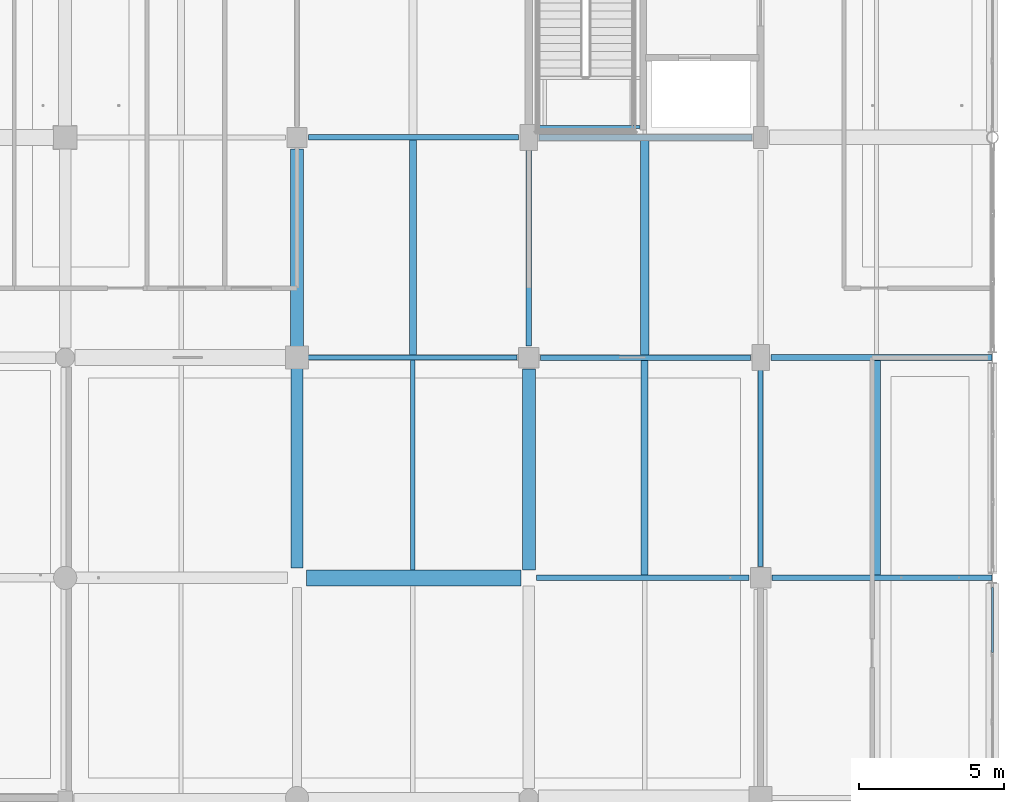
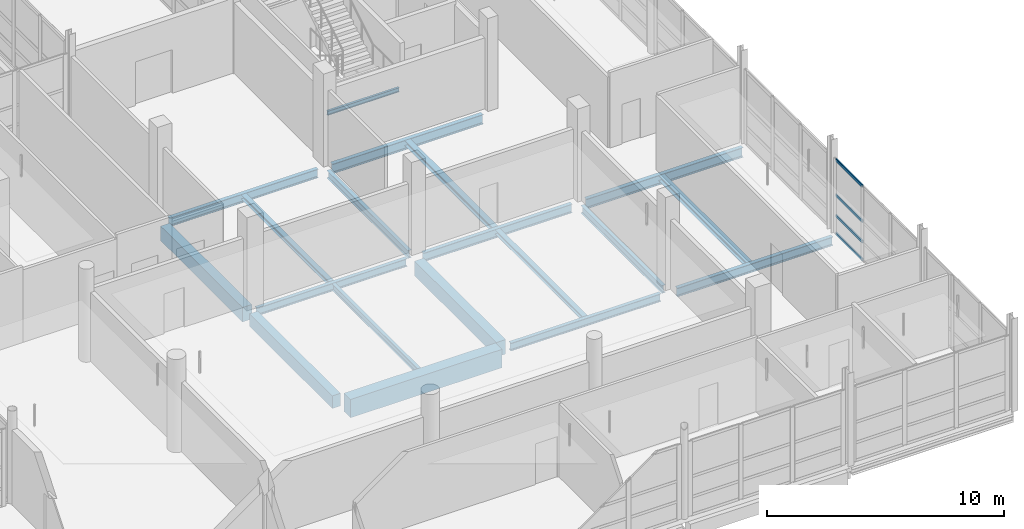
# One storey, part 53 of 141: 19 beams, 4 members, 1 element without a shape of its own.
"""IFC4 building model written with IfcOpenShell, lengths in metres."""

from ifc_helpers import new_model, si_unit, direction, frame, origin, origin_2d, place, context, subcontext, project, spatial, rectangle, hollow_rectangle, i_section, extrude, material, material_profile, profile_set, type_object, element, aggregate, save


model = new_model("IFC4")

# Units and contexts
model_context = context("Model", 3, precision=1e-05, world=origin(), true_north=direction((0.0, 1.0)))
body_context = subcontext(model_context, "Body", "Model", "MODEL_VIEW")
ifc_project = project(units=[si_unit("LENGTHUNIT", "METRE"), si_unit("AREAUNIT", "SQUARE_METRE"), si_unit("VOLUMEUNIT", "CUBIC_METRE"), si_unit("PLANEANGLEUNIT", "RADIAN"), si_unit("MASSUNIT", "GRAM", prefix="KILO")], contexts=[model_context])

# Site, building, storey
site_placement = place(None, origin())
site = spatial("IfcSite", under=ifc_project, at=site_placement, CompositionType="ELEMENT")
building_placement = place(site_placement, origin())
building = spatial("IfcBuilding", under=site, at=building_placement, Name="Khelvaren Railside Concert Hall", CompositionType="ELEMENT")
storey_placement = place(building_placement, frame((0.0, 0.0, 10.199951171875)))
storey = spatial("IfcBuildingStorey", under=building, at=storey_placement, Name="L02", CompositionType="ELEMENT", Elevation=10.199951171875)

# Beams
ifc_material_1 = material(Name="Steel S355", Category="steel")
ifc_material_profile_1 = material_profile(ifc_material_1, i_section(OverallWidth=0.179931640625, OverallDepth=0.39990234375, WebThickness=0.008544921875, FlangeThickness=0.013427734375, FilletRadius=0.02099609375, at=origin_2d()), Name="IPE 400")
ifc_profile_set_1 = profile_set([ifc_material_profile_1], Name="Steel S355")
beam_type_1 = type_object("IfcBeamType", Name="BM29", PredefinedType="BEAM", material=ifc_profile_set_1)
for number, where, z_axis, x_axis, name in (
    (1, (168.27294921875, 15.199951171875, -0.489990234375), (1.0, 0.0, 0.0), (0.0, 1.0, 0.0), "V2 L02 Beam X3.4"),
    (2, (160.27294921875, 22.800048828125, -0.489990234375), (1.0, 0.0, 0.0), (0.0, 1.0, 0.0), "V2 L02 Beam X4.3"),
):
    element("IfcBeam", number, at=place(storey_placement, frame(where, z_axis=z_axis, x_axis=x_axis)), inside=storey, type_object=beam_type_1, Name=name, PredefinedType="BEAM", context=body_context, shape_type="SweptSolid", body=[
        extrude(i_section(OverallWidth=0.179931640625, OverallDepth=0.39990234375, WebThickness=0.008544921875, FlangeThickness=0.013427734375, FilletRadius=0.02099609375, at=origin_2d()), origin(), (0.0, 0.0, 1.0), 7.3271484375),
    ])
beam_1_placement = place(storey_placement, frame((168.0, 23.199951171875, -0.489990234375), z_axis=(0.0, 1.0, 0.0), x_axis=(-1.0, 0.0, 0.0)))
element("IfcBeam", 3, at=beam_1_placement, inside=storey, type_object=beam_type_1, Name="V2 L02 Beam Y4.4", PredefinedType="BEAM", context=body_context, shape_type="SweptSolid", body=[
    extrude(i_section(OverallWidth=0.179931640625, OverallDepth=0.39990234375, WebThickness=0.008544921875, FlangeThickness=0.013427734375, FilletRadius=0.02099609375, at=origin_2d()), origin(), (0.0, 0.0, 1.0), 6.85009765625),
])
beam_2_placement = place(storey_placement, frame((176.0, 15.60009765625, -0.489990234375), z_axis=(0.0, 1.0, 0.0), x_axis=(-1.0, 0.0, 0.0)))
element("IfcBeam", 4, at=beam_2_placement, inside=storey, type_object=beam_type_1, Name="V2 L02 Beam Y5.3", PredefinedType="BEAM", context=body_context, shape_type="SweptSolid", body=[
    extrude(i_section(OverallWidth=0.179931640625, OverallDepth=0.39990234375, WebThickness=0.008544921875, FlangeThickness=0.013427734375, FilletRadius=0.02099609375, at=origin_2d()), origin(), (0.0, 0.0, 1.0), 6.849853515625),
])
ifc_material_2 = material(Name="Concrete C40/50", Category="concrete")
ifc_material_profile_2 = material_profile(ifc_material_2, rectangle(XDim=0.39990234375, YDim=0.64990234375, at=origin_2d()), Name="RCB 400x650")
ifc_profile_set_2 = profile_set([ifc_material_profile_2], Name="Concrete C40/50")
beam_type_2 = type_object("IfcBeamType", Name="BM33", PredefinedType="BEAM", material=ifc_profile_set_2)
beam_3_placement = place(storey_placement, frame((160.0, 15.535888671875, -0.614990234375), z_axis=(0.0, 1.0, 0.0), x_axis=(-1.0, 0.0, 0.0)))
element("IfcBeam", 5, at=beam_3_placement, inside=storey, type_object=beam_type_2, Name="V2 L02 Beam Y3.3", PredefinedType="BEAM", context=body_context, shape_type="SweptSolid", body=[
    extrude(rectangle(XDim=0.39990234375, YDim=0.64990234375, at=origin_2d()), origin(), (0.0, 0.0, 1.0), 6.9912109375),
])
ifc_material_profile_3 = material_profile(ifc_material_1, i_section(OverallWidth=0.199951171875, OverallDepth=0.5, WebThickness=0.01025390625, FlangeThickness=0.01611328125, FilletRadius=0.02099609375, at=origin_2d()), Name="IPE 500")
ifc_profile_set_3 = profile_set([ifc_material_profile_3], Name="Steel S355")
beam_type_3 = type_object("IfcBeamType", Name="BM62", PredefinedType="BEAM", material=ifc_profile_set_3)
beam_4_placement = place(storey_placement, frame((176.35009765625, 22.800048828125, -0.5400390625), z_axis=(1.0, 0.0, 0.0), x_axis=(0.0, 1.0, 0.0)))
element("IfcBeam", 6, at=beam_4_placement, inside=storey, type_object=beam_type_3, Name="V2 L02 Beam X4.5", PredefinedType="BEAM", context=body_context, shape_type="SweptSolid", body=[
    extrude(i_section(OverallWidth=0.199951171875, OverallDepth=0.5, WebThickness=0.01025390625, FlangeThickness=0.01611328125, FilletRadius=0.02099609375, at=origin_2d()), origin(), (0.0, 0.0, 1.0), 7.639892578125),
])
beam_5_placement = place(storey_placement, frame((168.35009765625, 30.39990234375, -0.5400390625), z_axis=(1.0, 0.0, 0.0), x_axis=(0.0, 1.0, 0.0)))
element("IfcBeam", 7, at=beam_5_placement, inside=storey, type_object=beam_type_3, Name="V2 L02 Beam X5.4", PredefinedType="BEAM", context=body_context, shape_type="SweptSolid", body=[
    extrude(i_section(OverallWidth=0.199951171875, OverallDepth=0.5, WebThickness=0.01025390625, FlangeThickness=0.01611328125, FilletRadius=0.02099609375, at=origin_2d()), origin(), (0.0, 0.0, 1.0), 7.349853515625),
])
ifc_material_profile_4 = material_profile(ifc_material_2, rectangle(XDim=0.449951171875, YDim=0.75, at=origin_2d()), Name="RCB 450x750")
ifc_profile_set_4 = profile_set([ifc_material_profile_4], Name="Concrete C40/50")
beam_type_4 = type_object("IfcBeamType", Name="BM83", PredefinedType="BEAM", material=ifc_profile_set_4)
for number, where, z_axis, x_axis, name in (
    (8, (160.0, 23.072998046875, -0.6650390625), (0.0, 1.0, 0.0), (-1.0, 0.0, 0.0), "V2 L02 Beam Y3.4"),
    (9, (168.0, 15.472900390625, -0.6650390625), (0.0, 1.0, 0.0), (-1.0, 0.0, 0.0), "V2 L02 Beam Y4.3"),
):
    element("IfcBeam", number, at=place(storey_placement, frame(where, z_axis=z_axis, x_axis=x_axis)), inside=storey, type_object=beam_type_4, Name=name, PredefinedType="BEAM", context=body_context, shape_type="SweptSolid", body=[
        extrude(rectangle(XDim=0.449951171875, YDim=0.75, at=origin_2d()), origin(), (0.0, 0.0, 1.0), 6.927001953125),
    ])
ifc_material_profile_5 = material_profile(ifc_material_1, i_section(OverallWidth=0.110107421875, OverallDepth=0.219970703125, WebThickness=0.005859375, FlangeThickness=0.00927734375, FilletRadius=0.011962890625, at=origin_2d()), Name="IPE 220")
ifc_profile_set_5 = profile_set([ifc_material_profile_5], Name="Steel S355")
beam_type_5 = type_object("IfcBeamType", Name="BM87", PredefinedType="BEAM", material=ifc_profile_set_5)
beam_6_placement = place(storey_placement, frame((168.344970703125, 30.760009765625, 2.090087890625), z_axis=(1.0, 0.0, 0.0), x_axis=(0.0, 1.0, 0.0)))
element("IfcBeam", 10, at=beam_6_placement, inside=storey, type_object=beam_type_5, Name="ST-04 L02 Half-Landing Rear Beam", PredefinedType="BEAM", context=body_context, shape_type="SweptSolid", body=[
    extrude(i_section(OverallWidth=0.110107421875, OverallDepth=0.219970703125, WebThickness=0.005859375, FlangeThickness=0.00927734375, FilletRadius=0.011962890625, at=origin_2d()), origin(), (0.0, 0.0, 1.0), 3.4951171875),
])
ifc_material_profile_6 = material_profile(ifc_material_1, i_section(OverallWidth=0.18994140625, OverallDepth=0.449951171875, WebThickness=0.009521484375, FlangeThickness=0.0146484375, FilletRadius=0.02099609375, at=origin_2d()), Name="IPE 450")
ifc_profile_set_6 = profile_set([ifc_material_profile_6], Name="Steel S355")
beam_type_6 = type_object("IfcBeamType", Name="BM95", PredefinedType="BEAM", material=ifc_profile_set_6)
beam_7_placement = place(storey_placement, frame((176.39990234375, 15.199951171875, -0.514892578125), z_axis=(1.0, 0.0, 0.0), x_axis=(0.0, 1.0, 0.0)))
element("IfcBeam", 11, at=beam_7_placement, inside=storey, type_object=beam_type_6, Name="V2 L02 Beam X3.5", PredefinedType="BEAM", context=body_context, shape_type="SweptSolid", body=[
    extrude(i_section(OverallWidth=0.18994140625, OverallDepth=0.449951171875, WebThickness=0.009521484375, FlangeThickness=0.0146484375, FilletRadius=0.02099609375, at=origin_2d()), origin(), (0.0, 0.0, 1.0), 7.590087890625),
])
for number, where, z_axis, x_axis, name in (
    (12, (168.39990234375, 22.800048828125, -0.514892578125), (1.0, 0.0, 0.0), (0.0, 1.0, 0.0), "V2 L02 Beam X4.4"),
    (13, (160.39990234375, 30.39990234375, -0.514892578125), (1.0, 0.0, 0.0), (0.0, 1.0, 0.0), "V2 L02 Beam X5.3"),
):
    element("IfcBeam", number, at=place(storey_placement, frame(where, z_axis=z_axis, x_axis=x_axis)), inside=storey, type_object=beam_type_6, Name=name, PredefinedType="BEAM", context=body_context, shape_type="SweptSolid", body=[
        extrude(i_section(OverallWidth=0.18994140625, OverallDepth=0.449951171875, WebThickness=0.009521484375, FlangeThickness=0.0146484375, FilletRadius=0.02099609375, at=origin_2d()), origin(), (0.0, 0.0, 1.0), 7.25),
    ])

# Curtain wall, members
ifc_material_3 = material(Name="Double-glazed clear foyer glass", Category="glass")
curtain_wall_type = type_object("IfcCurtainWallType", Name="CW64", PredefinedType="USERDEFINED", material=ifc_material_3)
curtain_wall_placement = place(storey_placement, origin())
curtain_wall = element("IfcCurtainWall", 14, at=curtain_wall_placement, inside=storey, type_object=curtain_wall_type, Name="Unitised Curtain Wall CW-V2-L02-E-8", ObjectType="UNITISED CURTAIN WALL", PredefinedType="USERDEFINED")
ifc_material_4 = material(Name="Anodised architectural aluminium 6063-T6", Category="aluminium")
ifc_material_profile_7 = material_profile(ifc_material_4, hollow_rectangle(XDim=0.06494140625, YDim=0.139892578125, WallThickness=0.00390625, InnerFilletRadius=0.001953125, OuterFilletRadius=0.00390625, at=origin_2d()), Name="CWT 65x140x4")
ifc_profile_set_7 = profile_set([ifc_material_profile_7], Name="Anodised architectural aluminium 6063-T6")
member_type = type_object("IfcMemberType", Name="CWT72", PredefinedType="USERDEFINED", material=ifc_profile_set_7)
member_1_placement = place(storey_placement, frame((184.0, 14.87255859375, 0.032470703125), z_axis=(0.0, -1.0, 0.0), x_axis=(1.0, 0.0, 0.0)))
member_1 = element("IfcMember", 15, at=member_1_placement, type_object=member_type, Name="CW64 transom 1.1", ObjectType="TRANSOM", PredefinedType="USERDEFINED", context=body_context, shape_type="SweptSolid", body=[
    extrude(hollow_rectangle(XDim=0.06494140625, YDim=0.139892578125, WallThickness=0.00390625, InnerFilletRadius=0.001953125, OuterFilletRadius=0.00390625, at=origin_2d()), origin(), (0.0, 0.0, 1.0), 2.245849609375),
])
member_2_placement = place(storey_placement, frame((184.0, 14.87255859375, 0.949951171875), z_axis=(0.0, -1.0, 0.0), x_axis=(1.0, 0.0, 0.0)))
member_2 = element("IfcMember", 16, at=member_2_placement, type_object=member_type, Name="CW64 transom 1.2", ObjectType="TRANSOM", PredefinedType="USERDEFINED", context=body_context, shape_type="SweptSolid", body=[
    extrude(hollow_rectangle(XDim=0.06494140625, YDim=0.139892578125, WallThickness=0.00390625, InnerFilletRadius=0.001953125, OuterFilletRadius=0.00390625, at=origin_2d()), origin(), (0.0, 0.0, 1.0), 2.245849609375),
])
member_3_placement = place(storey_placement, frame((184.0, 14.87255859375, 2.00732421875), z_axis=(0.0, -1.0, 0.0), x_axis=(1.0, 0.0, 0.0)))
member_3 = element("IfcMember", 17, at=member_3_placement, type_object=member_type, Name="CW64 transom 1.3", ObjectType="TRANSOM", PredefinedType="USERDEFINED", context=body_context, shape_type="SweptSolid", body=[
    extrude(hollow_rectangle(XDim=0.06494140625, YDim=0.139892578125, WallThickness=0.00390625, InnerFilletRadius=0.001953125, OuterFilletRadius=0.00390625, at=origin_2d()), origin(), (0.0, 0.0, 1.0), 2.245849609375),
])
member_4_placement = place(storey_placement, frame((184.0, 14.87255859375, 3.82763671875), z_axis=(0.0, -1.0, 0.0), x_axis=(1.0, 0.0, 0.0)))
member_4 = element("IfcMember", 18, at=member_4_placement, type_object=member_type, Name="CW64 transom 1.4", ObjectType="TRANSOM", PredefinedType="USERDEFINED", context=body_context, shape_type="SweptSolid", body=[
    extrude(hollow_rectangle(XDim=0.06494140625, YDim=0.139892578125, WallThickness=0.00390625, InnerFilletRadius=0.001953125, OuterFilletRadius=0.00390625, at=origin_2d()), origin(), (0.0, 0.0, 1.0), 2.245849609375),
])
aggregate(curtain_wall, [member_1, member_2, member_3, member_4])

# Beams
ifc_material_profile_8 = material_profile(ifc_material_2, rectangle(XDim=0.550048828125, YDim=0.949951171875, at=origin_2d()), Name="RCB 550x950")
ifc_profile_set_8 = profile_set([ifc_material_profile_8], Name="Concrete C40/50")
beam_type_7 = type_object("IfcBeamType", Name="GR57", PredefinedType="T_BEAM", material=ifc_profile_set_8)
beam_8_placement = place(storey_placement, frame((160.3359375, 15.199951171875, -0.764892578125), z_axis=(1.0, 0.0, 0.0), x_axis=(0.0, 1.0, 0.0)))
element("IfcBeam", 19, at=beam_8_placement, inside=storey, type_object=beam_type_7, Name="V2 L02 T_Beam X3.3", PredefinedType="T_BEAM", context=body_context, shape_type="SweptSolid", body=[
    extrude(rectangle(XDim=0.550048828125, YDim=0.949951171875, at=origin_2d()), origin(), (0.0, 0.0, 1.0), 7.39111328125),
])
ifc_material_profile_9 = material_profile(ifc_material_1, i_section(OverallWidth=0.280029296875, OverallDepth=0.27001953125, WebThickness=0.008056640625, FlangeThickness=0.012939453125, FilletRadius=0.02392578125, at=origin_2d()), Name="HEA 280")
ifc_profile_set_9 = profile_set([ifc_material_profile_9], Name="Steel S355")
beam_type_8 = type_object("IfcBeamType", Name="JS46", PredefinedType="JOIST", material=ifc_profile_set_9)
for number, where, z_axis, x_axis, name in (
    (20, (172.0, 22.89501953125, -0.425048828125), (0.0, 1.0, 0.0), (-1.0, 0.0, 0.0), "V2 L02 Secondary Joist 4.4"),
    (21, (180.0, 15.294921875, -0.425048828125), (0.0, 1.0, 0.0), (-1.0, 0.0, 0.0), "V2 L02 Secondary Joist 5.3"),
):
    element("IfcBeam", number, at=place(storey_placement, frame(where, z_axis=z_axis, x_axis=x_axis)), inside=storey, type_object=beam_type_8, Name=name, PredefinedType="JOIST", context=body_context, shape_type="SweptSolid", body=[
        extrude(i_section(OverallWidth=0.280029296875, OverallDepth=0.27001953125, WebThickness=0.008056640625, FlangeThickness=0.012939453125, FilletRadius=0.02392578125, at=origin_2d()), origin(), (0.0, 0.0, 1.0), 7.405029296875),
    ])
ifc_material_profile_10 = material_profile(ifc_material_1, i_section(OverallWidth=0.159912109375, OverallDepth=0.330078125, WebThickness=0.007568359375, FlangeThickness=0.011474609375, FilletRadius=0.01806640625, at=origin_2d()), Name="IPE 330")
ifc_profile_set_10 = profile_set([ifc_material_profile_10], Name="Steel S355")
beam_type_9 = type_object("IfcBeamType", Name="JS65", PredefinedType="JOIST", material=ifc_profile_set_10)
beam_9_placement = place(storey_placement, frame((164.0, 15.47509765625, -0.454833984375), z_axis=(0.0, 1.0, 0.0), x_axis=(-1.0, 0.0, 0.0)))
element("IfcBeam", 22, at=beam_9_placement, inside=storey, type_object=beam_type_9, Name="V2 L02 Secondary Joist 3.3", PredefinedType="JOIST", context=body_context, shape_type="SweptSolid", body=[
    extrude(i_section(OverallWidth=0.159912109375, OverallDepth=0.330078125, WebThickness=0.007568359375, FlangeThickness=0.011474609375, FilletRadius=0.01806640625, at=origin_2d()), origin(), (0.0, 0.0, 1.0), 7.23486328125),
])
ifc_material_profile_11 = material_profile(ifc_material_1, i_section(OverallWidth=0.239990234375, OverallDepth=0.22998046875, WebThickness=0.007568359375, FlangeThickness=0.011962890625, FilletRadius=0.02099609375, at=origin_2d()), Name="HEA 240")
ifc_profile_set_11 = profile_set([ifc_material_profile_11], Name="Steel S355")
beam_type_10 = type_object("IfcBeamType", Name="JS76", PredefinedType="JOIST", material=ifc_profile_set_11)
for number, where, z_axis, x_axis, name in (
    (23, (164.0, 22.889892578125, -0.405029296875), (0.0, 1.0, 0.0), (-1.0, 0.0, 0.0), "V2 L02 Secondary Joist 3.4"),
    (24, (172.0, 15.2900390625, -0.405029296875), (0.0, 1.0, 0.0), (-1.0, 0.0, 0.0), "V2 L02 Secondary Joist 4.3"),
):
    element("IfcBeam", number, at=place(storey_placement, frame(where, z_axis=z_axis, x_axis=x_axis)), inside=storey, type_object=beam_type_10, Name=name, PredefinedType="JOIST", context=body_context, shape_type="SweptSolid", body=[
        extrude(i_section(OverallWidth=0.239990234375, OverallDepth=0.22998046875, WebThickness=0.007568359375, FlangeThickness=0.011962890625, FilletRadius=0.02099609375, at=origin_2d()), origin(), (0.0, 0.0, 1.0), 7.4150390625),
    ])

save(model, "model.ifc")
